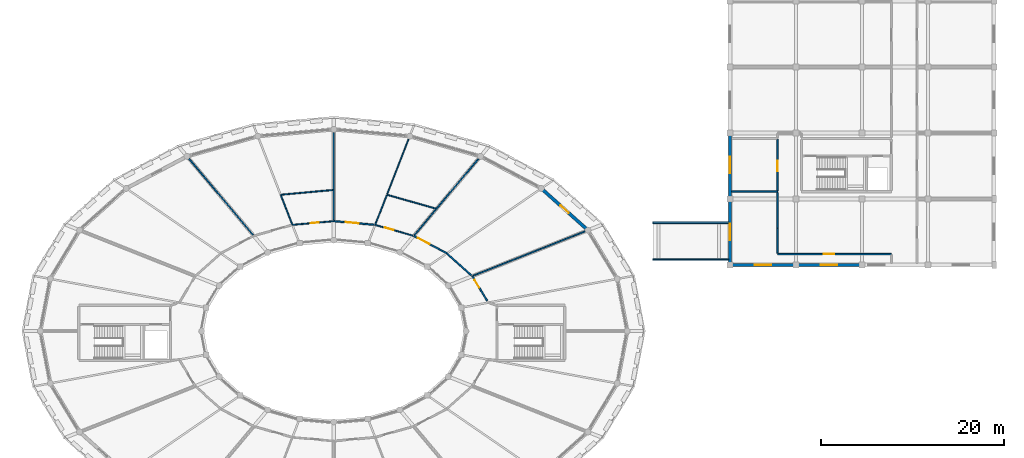
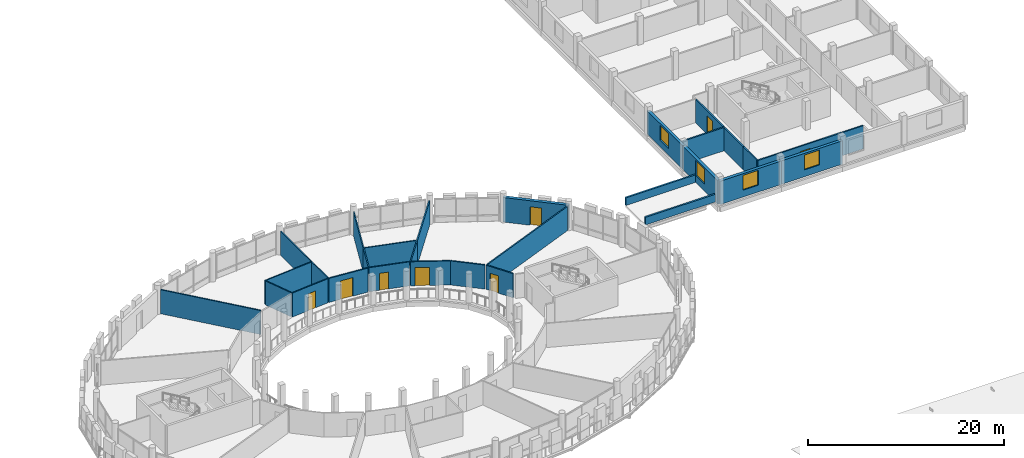
# One storey, part 81 of 93: 29 walls, 8 doors, 4 windows, 12 openings.
"""IFC4 building model written with IfcOpenShell, lengths in metres."""

from ifc_helpers import new_model, si_unit, direction, frame, frame_2d, origin, place, context, subcontext, project, spatial, rectangle, extrude, material, layer, layer_set, type_object, element, fill, save


model = new_model("IFC4")

# Units and contexts
model_context = context("Model", 3, precision=1e-05, world=origin(), true_north=direction((0.0, 1.0)))
body_context = subcontext(model_context, "Body", "Model", "MODEL_VIEW")
ifc_project = project(units=[si_unit("LENGTHUNIT", "METRE"), si_unit("AREAUNIT", "SQUARE_METRE"), si_unit("VOLUMEUNIT", "CUBIC_METRE"), si_unit("PLANEANGLEUNIT", "RADIAN"), si_unit("MASSUNIT", "GRAM", prefix="KILO")], contexts=[model_context])

# Site, building, storey
site_placement = place(None, origin())
site = spatial("IfcSite", under=ifc_project, at=site_placement, CompositionType="ELEMENT")
building_placement = place(site_placement, origin())
building = spatial("IfcBuilding", under=site, at=building_placement, Name="Zornivar Specialist Clinic", CompositionType="ELEMENT")
storey_placement = place(building_placement, frame((0.0, 0.0, 8.39990234375)))
storey = spatial("IfcBuildingStorey", under=building, at=storey_placement, Name="L02", CompositionType="ELEMENT", Elevation=8.39990234375)

# Wall, opening, door
ifc_material_1 = material(Name="Masonry Drum Limestone Portal Wall", Category="masonry")
ifc_layer_1 = layer(ifc_material_1, 0.35009765625)
ifc_layer_set_1 = layer_set([ifc_layer_1], Name="Masonry Drum Limestone Portal Wall")
wall_type_1 = type_object("IfcWallType", Name="EW-DRUM-350", PredefinedType="SOLIDWALL", material=ifc_layer_set_1)
wall_1_placement = place(storey_placement, frame((121.31298828125, 68.60009765625, 0.0), z_axis=(0.0, 0.0, 1.0), x_axis=(-0.744853105459, 0.66722848507, 0.0)))
wall_1 = element("IfcWall", 1, at=wall_1_placement, inside=storey, type_object=wall_type_1, Name="ew:V1:L02:c02", PredefinedType="SOLIDWALL", context=body_context, shape_type="SweptSolid", body=[
    extrude(rectangle(XDim=6.828125, YDim=0.35009765625, at=frame_2d((3.4140625, 0.0))), origin(), (0.0, 0.0, 1.0), 3.050048828125),
])
opening_1_placement = place(wall_1_placement, frame((2.81396484375, 0.0, 0.0)))
opening_1 = element("IfcOpeningElement", 2, at=opening_1_placement, cuts=wall_1, Name="Opening BD-01", PredefinedType="OPENING", context=body_context, shape_type="SweptSolid", body=[
    extrude(rectangle(XDim=1.199951171875, YDim=2.300048828125, at=frame_2d((0.60009765625, 1.14990234375))), frame((0.0, 0.18505859375, 0.0), z_axis=(0.0, -1.0, 0.0), x_axis=(1.0, 0.0, 0.0)), (0.0, 0.0, 1.0), 0.3701171875),
])
ifc_material_2 = material(Name="Thermally Broken Glazed Aluminium Door", Category="aluminium")
door_type_1 = type_object("IfcDoorType", Name="BD-BALC-1200x2300", OperationType="NOTDEFINED", PredefinedType="DOOR", material=ifc_material_2)
door_1_placement = place(opening_1_placement, origin())
door_1 = element("IfcDoor", 3, at=door_1_placement, inside=storey, type_object=door_type_1, Name="door:V1:L02:c02", OperationType="SINGLE_SWING_LEFT", OverallHeight=2.300048828125, OverallWidth=1.199951171875, PredefinedType="DOOR", context=body_context, shape_type="SweptSolid", body=[
    extrude(rectangle(XDim=1.199951171875, YDim=2.300048828125, at=frame_2d((0.60009765625, 1.14990234375))), frame((0.0, 0.02490234375, 0.0), z_axis=(0.0, -1.0, 0.0), x_axis=(1.0, 0.0, 0.0)), (0.0, 0.0, 1.0), 0.050048828125),
])
fill(opening_1, door_1)

# Wall, opening, window
ifc_material_3 = material(Name="Masonry Laboratory Terracotta and Stone Cavity Wall", Category="masonry")
ifc_layer_2 = layer(ifc_material_3, 0.340087890625)
ifc_layer_set_2 = layer_set([ifc_layer_2], Name="Masonry Laboratory Terracotta and Stone Cavity Wall")
wall_type_2 = type_object("IfcWallType", Name="EW-LAB-340", PredefinedType="SOLIDWALL", material=ifc_layer_set_2)
wall_2_placement = place(storey_placement, frame((136.800048828125, 64.800048828125, 0.0), z_axis=(0.0, 0.0, 1.0), x_axis=(1.0, 0.0, 0.0)))
wall_2 = element("IfcWall", 4, at=wall_2_placement, inside=storey, type_object=wall_type_2, Name="ew:V6:L02:00", PredefinedType="SOLIDWALL", context=body_context, shape_type="SweptSolid", body=[
    extrude(rectangle(XDim=7.199951171875, YDim=0.340087890625, at=frame_2d((3.60009765625, 0.0))), origin(), (0.0, 0.0, 1.0), 2.91015625),
])
opening_2_placement = place(wall_2_placement, frame((2.699951171875, 0.0, 0.85009765625)))
opening_2 = element("IfcOpeningElement", 5, at=opening_2_placement, cuts=wall_2, Name="Opening W-20", PredefinedType="OPENING", context=body_context, shape_type="SweptSolid", body=[
    extrude(rectangle(XDim=1.800048828125, YDim=1.85009765625, at=frame_2d((0.89990234375, 0.925048828125))), frame((0.0, 0.179931640625, 0.0), z_axis=(0.0, -1.0, 0.0), x_axis=(1.0, 0.0, 0.0)), (0.0, 0.0, 1.0), 0.360107421875),
])
ifc_material_4 = material(Name="Triple-Glazed Aluminium-Timber Window Glass", Category="wood")
window_type = type_object("IfcWindowType", Name="WIN-LAB-LOWER-1800x1850", PartitioningType="SINGLE_PANEL", PredefinedType="WINDOW", material=ifc_material_4)
window_1_placement = place(opening_2_placement, origin())
window_1 = element("IfcWindow", 6, at=window_1_placement, inside=storey, type_object=window_type, Name="win:V6:L02:00", OverallHeight=1.85009765625, OverallWidth=1.800048828125, PartitioningType="SINGLE_PANEL", PredefinedType="WINDOW", context=body_context, shape_type="SweptSolid", body=[
    extrude(rectangle(XDim=1.800048828125, YDim=1.85009765625, at=frame_2d((0.89990234375, 0.925048828125))), frame((0.0, 0.030029296875, 0.0), z_axis=(0.0, -1.0, 0.0), x_axis=(1.0, 0.0, 0.0)), (0.0, 0.0, 1.0), 0.06005859375),
])
fill(opening_2, window_1)

wall_3_placement = place(storey_placement, frame((144.0, 64.800048828125, 0.0), z_axis=(0.0, 0.0, 1.0), x_axis=(1.0, 0.0, 0.0)))
wall_3 = element("IfcWall", 7, at=wall_3_placement, inside=storey, type_object=wall_type_2, Name="ew:V6:L02:01", PredefinedType="SOLIDWALL", context=body_context, shape_type="SweptSolid", body=[
    extrude(rectangle(XDim=7.199951171875, YDim=0.340087890625, at=frame_2d((3.60009765625, 0.0))), origin(), (0.0, 0.0, 1.0), 2.91015625),
])
opening_3_placement = place(wall_3_placement, frame((2.699951171875, 0.0, 0.85009765625)))
opening_3 = element("IfcOpeningElement", 8, at=opening_3_placement, cuts=wall_3, Name="Opening W-20", PredefinedType="OPENING", context=body_context, shape_type="SweptSolid", body=[
    extrude(rectangle(XDim=1.800048828125, YDim=1.85009765625, at=frame_2d((0.89990234375, 0.925048828125))), frame((0.0, 0.179931640625, 0.0), z_axis=(0.0, -1.0, 0.0), x_axis=(1.0, 0.0, 0.0)), (0.0, 0.0, 1.0), 0.360107421875),
])
window_2_placement = place(opening_3_placement, origin())
window_2 = element("IfcWindow", 9, at=window_2_placement, inside=storey, type_object=window_type, Name="win:V6:L02:01", OverallHeight=1.85009765625, OverallWidth=1.800048828125, PartitioningType="SINGLE_PANEL", PredefinedType="WINDOW", context=body_context, shape_type="SweptSolid", body=[
    extrude(rectangle(XDim=1.800048828125, YDim=1.85009765625, at=frame_2d((0.89990234375, 0.925048828125))), frame((0.0, 0.030029296875, 0.0), z_axis=(0.0, -1.0, 0.0), x_axis=(1.0, 0.0, 0.0)), (0.0, 0.0, 1.0), 0.06005859375),
])
fill(opening_3, window_2)

wall_4_placement = place(storey_placement, frame((136.800048828125, 79.199951171875, 0.0), z_axis=(0.0, 0.0, 1.0), x_axis=(0.0, -1.0, 0.0)))
wall_4 = element("IfcWall", 10, at=wall_4_placement, inside=storey, type_object=wall_type_2, Name="ew:V6:L02:20", PredefinedType="SOLIDWALL", context=body_context, shape_type="SweptSolid", body=[
    extrude(rectangle(XDim=7.199951171875, YDim=0.340087890625, at=frame_2d((3.60009765625, 0.0))), origin(), (0.0, 0.0, 1.0), 2.91015625),
])
opening_4_placement = place(wall_4_placement, frame((2.60009765625, 0.0, 0.85009765625)))
opening_4 = element("IfcOpeningElement", 11, at=opening_4_placement, cuts=wall_4, Name="Opening W-20", PredefinedType="OPENING", context=body_context, shape_type="SweptSolid", body=[
    extrude(rectangle(XDim=1.800048828125, YDim=1.85009765625, at=frame_2d((0.89990234375, 0.925048828125))), frame((0.0, 0.179931640625, 0.0), z_axis=(0.0, -1.0, 0.0), x_axis=(1.0, 0.0, 0.0)), (0.0, 0.0, 1.0), 0.360107421875),
])
window_3_placement = place(opening_4_placement, origin())
window_3 = element("IfcWindow", 12, at=window_3_placement, inside=storey, type_object=window_type, Name="win:V6:L02:20", OverallHeight=1.85009765625, OverallWidth=1.800048828125, PartitioningType="SINGLE_PANEL", PredefinedType="WINDOW", context=body_context, shape_type="SweptSolid", body=[
    extrude(rectangle(XDim=1.800048828125, YDim=1.85009765625, at=frame_2d((0.89990234375, 0.925048828125))), frame((0.0, 0.030029296875, 0.0), z_axis=(0.0, -1.0, 0.0), x_axis=(1.0, 0.0, 0.0)), (0.0, 0.0, 1.0), 0.06005859375),
])
fill(opening_4, window_3)

wall_5_placement = place(storey_placement, frame((136.800048828125, 72.0, 0.0), z_axis=(0.0, 0.0, 1.0), x_axis=(0.0, -1.0, 0.0)))
wall_5 = element("IfcWall", 13, at=wall_5_placement, inside=storey, type_object=wall_type_2, Name="ew:V6:L02:21", PredefinedType="SOLIDWALL", context=body_context, shape_type="SweptSolid", body=[
    extrude(rectangle(XDim=7.199951171875, YDim=0.340087890625, at=frame_2d((3.60009765625, 0.0))), origin(), (0.0, 0.0, 1.0), 2.91015625),
])
opening_5_placement = place(wall_5_placement, frame((2.699951171875, 0.0, 0.85009765625)))
opening_5 = element("IfcOpeningElement", 14, at=opening_5_placement, cuts=wall_5, Name="Opening W-20", PredefinedType="OPENING", context=body_context, shape_type="SweptSolid", body=[
    extrude(rectangle(XDim=1.800048828125, YDim=1.85009765625, at=frame_2d((0.89990234375, 0.925048828125))), frame((0.0, 0.179931640625, 0.0), z_axis=(0.0, -1.0, 0.0), x_axis=(1.0, 0.0, 0.0)), (0.0, 0.0, 1.0), 0.360107421875),
])
window_4_placement = place(opening_5_placement, origin())
window_4 = element("IfcWindow", 15, at=window_4_placement, inside=storey, type_object=window_type, Name="win:V6:L02:21", OverallHeight=1.85009765625, OverallWidth=1.800048828125, PartitioningType="SINGLE_PANEL", PredefinedType="WINDOW", context=body_context, shape_type="SweptSolid", body=[
    extrude(rectangle(XDim=1.800048828125, YDim=1.85009765625, at=frame_2d((0.89990234375, 0.925048828125))), frame((0.0, 0.030029296875, 0.0), z_axis=(0.0, -1.0, 0.0), x_axis=(1.0, 0.0, 0.0)), (0.0, 0.0, 1.0), 0.06005859375),
])
fill(opening_5, window_4)

# Walls
ifc_material_5 = material(Name="Acoustic Clinical Stud Partition")
ifc_layer_3 = layer(ifc_material_5, 0.139892578125)
ifc_layer_set_3 = layer_set([ifc_layer_3], Name="Acoustic Clinical Stud Partition")
wall_type_3 = type_object("IfcWallType", Name="IW-CLIN-140", PredefinedType="PARTITIONING", material=ifc_layer_set_3)
wall_6_placement = place(storey_placement, frame((108.802978515625, 63.634033203125, 0.0), z_axis=(0.0, 0.0, 1.0), x_axis=(0.929434419676, 0.368987343309, 0.0)))
element("IfcWall", 16, at=wall_6_placement, inside=storey, type_object=wall_type_3, Name="iw:L02:002", PredefinedType="PARTITIONING", context=body_context, shape_type="SweptSolid", body=[
    extrude(rectangle(XDim=13.125244140625, YDim=0.139892578125, at=frame_2d((6.5625, 0.0))), origin(), (0.0, 0.0, 1.0), 2.989990234375),
])
wall_7_placement = place(storey_placement, frame((104.802978515625, 70.93994140625, 0.0), z_axis=(0.0, 0.0, 1.0), x_axis=(0.6431052921, 0.765777763632, 0.0)))
element("IfcWall", 17, at=wall_7_placement, inside=storey, type_object=wall_type_3, Name="iw:L02:006", PredefinedType="PARTITIONING", context=body_context, shape_type="SweptSolid", body=[
    extrude(rectangle(XDim=7.124755859375, YDim=0.139892578125, at=frame_2d((3.5625, 0.0))), origin(), (0.0, 0.0, 1.0), 2.989990234375),
])
wall_8_placement = place(storey_placement, frame((84.7939453125, 68.0869140625, 0.0), z_axis=(0.0, 0.0, 1.0), x_axis=(-0.643158316092, 0.765733230598, 0.0)))
element("IfcWall", 18, at=wall_8_placement, inside=storey, type_object=wall_type_3, Name="iw:L02:019", PredefinedType="PARTITIONING", context=body_context, shape_type="SweptSolid", body=[
    extrude(rectangle(XDim=10.85107421875, YDim=0.139892578125, at=frame_2d((5.425537109375, 0.0))), origin(), (0.0, 0.0, 1.0), 2.989990234375),
])

# Wall, opening, door
ifc_material_6 = material(Name="Gypsum Fire-Rated Double Stud Partition")
ifc_layer_4 = layer(ifc_material_6, 0.159912109375)
ifc_layer_set_4 = layer_set([ifc_layer_4], Name="Gypsum Fire-Rated Double Stud Partition")
wall_type_4 = type_object("IfcWallType", Name="IW-CORR-EI60-160", PredefinedType="PARTITIONING", material=ifc_layer_set_4)
wall_9_placement = place(storey_placement, frame((110.325927734375, 60.903076171875, 0.0), z_axis=(0.0, 0.0, 1.0), x_axis=(-0.516060018324, 0.856552425417, 0.0)))
wall_9 = element("IfcWall", 19, at=wall_9_placement, inside=storey, type_object=wall_type_4, Name="iw:L02:001", PredefinedType="PARTITIONING", context=body_context, shape_type="SweptSolid", body=[
    extrude(rectangle(XDim=3.142822265625, YDim=0.159912109375, at=frame_2d((1.5712890625, 0.0))), origin(), (0.0, 0.0, 1.0), 2.989990234375),
])
opening_6_placement = place(wall_9_placement, frame((1.6630859375, 0.0, 0.0)))
opening_6 = element("IfcOpeningElement", 20, at=opening_6_placement, cuts=wall_9, Name="Opening ID-04", PredefinedType="OPENING", context=body_context, shape_type="SweptSolid", body=[
    extrude(rectangle(XDim=1.0, YDim=2.14990234375, at=frame_2d((0.5, 1.074951171875))), frame((0.0, 0.08984375, 0.0), z_axis=(0.0, -1.0, 0.0), x_axis=(1.0, 0.0, 0.0)), (0.0, 0.0, 1.0), 0.179931640625),
])
ifc_material_7 = material(Name="Solid-Core Hygienic Laminate Timber Door", Category="wood")
door_type_2 = type_object("IfcDoorType", Name="ID-EXAM-1000x2150", OperationType="NOTDEFINED", PredefinedType="DOOR", material=ifc_material_7)
door_2_placement = place(opening_6_placement, origin())
door_2 = element("IfcDoor", 21, at=door_2_placement, inside=storey, type_object=door_type_2, Name="door:space:V1:L02:rm:01", OperationType="SINGLE_SWING_LEFT", OverallHeight=2.14990234375, OverallWidth=1.0, PredefinedType="DOOR", context=body_context, shape_type="SweptSolid", body=[
    extrude(rectangle(XDim=1.0, YDim=2.14990234375, at=frame_2d((0.5, 1.074951171875))), frame((0.0, 0.02490234375, 0.0), z_axis=(0.0, -1.0, 0.0), x_axis=(1.0, 0.0, 0.0)), (0.0, 0.0, 1.0), 0.050048828125),
])
fill(opening_6, door_2)

wall_10_placement = place(storey_placement, frame((105.931884765625, 66.077880859375, 0.0), z_axis=(0.0, 0.0, 1.0), x_axis=(-0.884408058246, 0.466714459289, 0.0)))
wall_10 = element("IfcWall", 22, at=wall_10_placement, inside=storey, type_object=wall_type_4, Name="iw:L02:004", PredefinedType="PARTITIONING", context=body_context, shape_type="SweptSolid", body=[
    extrude(rectangle(XDim=4.083984375, YDim=0.159912109375, at=frame_2d((2.0419921875, 0.0))), origin(), (0.0, 0.0, 1.0), 2.989990234375),
])
opening_7_placement = place(wall_10_placement, frame((2.154052734375, 0.0, 0.0)))
opening_7 = element("IfcOpeningElement", 23, at=opening_7_placement, cuts=wall_10, Name="Opening ID-11", PredefinedType="OPENING", context=body_context, shape_type="SweptSolid", body=[
    extrude(rectangle(XDim=1.449951171875, YDim=2.25, at=frame_2d((0.72509765625, 1.125))), frame((0.0, 0.08984375, 0.0), z_axis=(0.0, -1.0, 0.0), x_axis=(1.0, 0.0, 0.0)), (0.0, 0.0, 1.0), 0.179931640625),
])
ifc_material_8 = material(Name="Solid-Core Hygienic Laminate Timber Door", Category="wood")
door_type_3 = type_object("IfcDoorType", Name="ID-INFUS-1450x2250", OperationType="NOTDEFINED", PredefinedType="DOOR", material=ifc_material_8)
door_3_placement = place(opening_7_placement, origin())
door_3 = element("IfcDoor", 24, at=door_3_placement, inside=storey, type_object=door_type_3, Name="door:space:V1:L02:rm:02", OperationType="DOUBLE_DOOR_SINGLE_SWING", OverallHeight=2.25, OverallWidth=1.449951171875, PredefinedType="DOOR", context=body_context, shape_type="SweptSolid", body=[
    extrude(rectangle(XDim=1.449951171875, YDim=2.25, at=frame_2d((0.72509765625, 1.125))), frame((0.0, 0.02490234375, 0.0), z_axis=(0.0, -1.0, 0.0), x_axis=(1.0, 0.0, 0.0)), (0.0, 0.0, 1.0), 0.050048828125),
])
fill(opening_7, door_3)

# Wall
wall_11_placement = place(storey_placement, frame((108.60400390625, 63.68408203125, 0.0), z_axis=(0.0, 0.0, 1.0), x_axis=(-0.744792916414, 0.667295670344, 0.0)))
element("IfcWall", 25, at=wall_11_placement, inside=storey, type_object=wall_type_4, Name="iw:L02:007", PredefinedType="PARTITIONING", context=body_context, shape_type="SweptSolid", body=[
    extrude(rectangle(XDim=3.57568359375, YDim=0.159912109375, at=frame_2d((1.787841796875, 0.0))), origin(), (0.0, 0.0, 1.0), 2.989990234375),
])

# Wall, opening, door
wall_12_placement = place(storey_placement, frame((98.009033203125, 69.19091796875, 0.0), z_axis=(0.0, 0.0, 1.0), x_axis=(-0.995926589216, 0.090167781902, 0.0)))
wall_12 = element("IfcWall", 26, at=wall_12_placement, inside=storey, type_object=wall_type_4, Name="iw:L02:012", PredefinedType="PARTITIONING", context=body_context, shape_type="SweptSolid", body=[
    extrude(rectangle(XDim=4.427001953125, YDim=0.159912109375, at=frame_2d((2.21337890625, 0.0))), origin(), (0.0, 0.0, 1.0), 2.989990234375),
])
opening_8_placement = place(wall_12_placement, frame((1.719970703125, 0.0, 0.0)))
opening_8 = element("IfcOpeningElement", 27, at=opening_8_placement, cuts=wall_12, Name="Opening ID-12", PredefinedType="OPENING", context=body_context, shape_type="SweptSolid", body=[
    extrude(rectangle(XDim=1.39990234375, YDim=2.300048828125, at=frame_2d((0.699951171875, 1.14990234375))), frame((0.0, 0.08984375, 0.0), z_axis=(0.0, -1.0, 0.0), x_axis=(1.0, 0.0, 0.0)), (0.0, 0.0, 1.0), 0.179931640625),
])
ifc_material_9 = material(Name="Solid-Core Hygienic Laminate Timber Door", Category="wood")
door_type_4 = type_object("IfcDoorType", Name="ID-WAIT-1400x2300", OperationType="NOTDEFINED", PredefinedType="DOOR", material=ifc_material_9)
door_4_placement = place(opening_8_placement, origin())
door_4 = element("IfcDoor", 28, at=door_4_placement, inside=storey, type_object=door_type_4, Name="door:space:V1:L02:rm:04", OperationType="DOUBLE_DOOR_SINGLE_SWING", OverallHeight=2.300048828125, OverallWidth=1.39990234375, PredefinedType="DOOR", context=body_context, shape_type="SweptSolid", body=[
    extrude(rectangle(XDim=1.39990234375, YDim=2.300048828125, at=frame_2d((0.699951171875, 1.14990234375))), frame((0.0, 0.02490234375, 0.0), z_axis=(0.0, -1.0, 0.0), x_axis=(1.0, 0.0, 0.0)), (0.0, 0.0, 1.0), 0.050048828125),
])
fill(opening_8, door_4)

wall_13_placement = place(storey_placement, frame((142.0, 66.0, 0.0), z_axis=(0.0, 0.0, 1.0), x_axis=(1.0, 0.0, 0.0)))
wall_13 = element("IfcWall", 29, at=wall_13_placement, inside=storey, type_object=wall_type_4, Name="iw:L02:133", PredefinedType="PARTITIONING", context=body_context, shape_type="SweptSolid", body=[
    extrude(rectangle(XDim=12.39990234375, YDim=0.159912109375, at=frame_2d((6.199951171875, 0.0))), origin(), (0.0, 0.0, 1.0), 2.89013671875),
])
opening_9_placement = place(wall_13_placement, frame((5.027099609375, 0.0, 0.0)))
opening_9 = element("IfcOpeningElement", 30, at=opening_9_placement, cuts=wall_13, Name="Opening ID-06", PredefinedType="OPENING", context=body_context, shape_type="SweptSolid", body=[
    extrude(rectangle(XDim=1.14990234375, YDim=2.25, at=frame_2d((0.574951171875, 1.125))), frame((0.0, 0.08984375, 0.0), z_axis=(0.0, -1.0, 0.0), x_axis=(1.0, 0.0, 0.0)), (0.0, 0.0, 1.0), 0.179931640625),
])
ifc_material_10 = material(Name="Solid-Core Hygienic Laminate Timber Door", Category="wood")
door_type_5 = type_object("IfcDoorType", Name="ID-LAB-1150x2250", OperationType="NOTDEFINED", PredefinedType="DOOR", material=ifc_material_10)
door_5_placement = place(opening_9_placement, origin())
door_5 = element("IfcDoor", 31, at=door_5_placement, inside=storey, type_object=door_type_5, Name="door:space:V6:L02:rm:00", OperationType="SINGLE_SWING_RIGHT", OverallHeight=2.25, OverallWidth=1.14990234375, PredefinedType="DOOR", context=body_context, shape_type="SweptSolid", body=[
    extrude(rectangle(XDim=1.14990234375, YDim=2.25, at=frame_2d((0.574951171875, 1.125))), frame((0.0, 0.02490234375, 0.0), z_axis=(0.0, -1.0, 0.0), x_axis=(1.0, 0.0, 0.0)), (0.0, 0.0, 1.0), 0.050048828125),
])
fill(opening_9, door_5)

# Walls
wall_14_placement = place(storey_placement, frame((142.0, 72.700927734375, 0.0), z_axis=(0.0, 0.0, 1.0), x_axis=(0.0, -1.0, 0.0)))
element("IfcWall", 32, at=wall_14_placement, inside=storey, type_object=wall_type_4, Name="iw:L02:136", PredefinedType="PARTITIONING", context=body_context, shape_type="SweptSolid", body=[
    extrude(rectangle(XDim=3.90087890625, YDim=0.159912109375, at=frame_2d((1.950439453125, 0.0))), origin(), (0.0, 0.0, 1.0), 2.89013671875),
])
wall_15_placement = place(storey_placement, frame((142.0, 68.7880859375, 0.0), z_axis=(0.0, 0.0, 1.0), x_axis=(0.0, -1.0, 0.0)))
element("IfcWall", 33, at=wall_15_placement, inside=storey, type_object=wall_type_4, Name="iw:L02:137", PredefinedType="PARTITIONING", context=body_context, shape_type="SweptSolid", body=[
    extrude(rectangle(XDim=2.694091796875, YDim=0.159912109375, at=frame_2d((1.34716796875, 0.0))), origin(), (0.0, 0.0, 1.0), 2.89013671875),
])

# Wall, opening, door
wall_16_placement = place(storey_placement, frame((142.0, 78.5009765625, 0.0), z_axis=(0.0, 0.0, 1.0), x_axis=(0.0, -1.0, 0.0)))
wall_16 = element("IfcWall", 34, at=wall_16_placement, inside=storey, type_object=wall_type_4, Name="iw:L02:139", PredefinedType="PARTITIONING", context=body_context, shape_type="SweptSolid", body=[
    extrude(rectangle(XDim=5.60205078125, YDim=0.159912109375, at=frame_2d((2.801025390625, 0.0))), origin(), (0.0, 0.0, 1.0), 2.89013671875),
])
opening_10_placement = place(wall_16_placement, frame((2.342041015625, 0.0, 0.0)))
opening_10 = element("IfcOpeningElement", 35, at=opening_10_placement, cuts=wall_16, Name="Opening ID-06", PredefinedType="OPENING", context=body_context, shape_type="SweptSolid", body=[
    extrude(rectangle(XDim=1.14990234375, YDim=2.25, at=frame_2d((0.574951171875, 1.125))), frame((0.0, 0.08984375, 0.0), z_axis=(0.0, -1.0, 0.0), x_axis=(1.0, 0.0, 0.0)), (0.0, 0.0, 1.0), 0.179931640625),
])
door_6_placement = place(opening_10_placement, origin())
door_6 = element("IfcDoor", 36, at=door_6_placement, inside=storey, type_object=door_type_5, Name="door:space:V6:L02:rm:01", OperationType="SINGLE_SWING_LEFT", OverallHeight=2.25, OverallWidth=1.14990234375, PredefinedType="DOOR", context=body_context, shape_type="SweptSolid", body=[
    extrude(rectangle(XDim=1.14990234375, YDim=2.25, at=frame_2d((0.574951171875, 1.125))), frame((0.0, 0.02490234375, 0.0), z_axis=(0.0, -1.0, 0.0), x_axis=(1.0, 0.0, 0.0)), (0.0, 0.0, 1.0), 0.050048828125),
])
fill(opening_10, door_6)

# Walls
ifc_material_11 = material(Name="Acoustic Glazed Consultation Partition")
ifc_layer_5 = layer(ifc_material_11, 0.1201171875)
ifc_layer_set_5 = layer_set([ifc_layer_5], Name="Acoustic Glazed Consultation Partition")
wall_type_5 = type_object("IfcWallType", Name="IW-GLAZ-120", PredefinedType="PARTITIONING", material=ifc_layer_set_5)
wall_17_placement = place(storey_placement, frame((101.760009765625, 78.5380859375, 0.0), z_axis=(0.0, 0.0, 1.0), x_axis=(-0.363008745281, -0.931785732264, 0.0)))
element("IfcWall", 37, at=wall_17_placement, inside=storey, type_object=wall_type_5, Name="iw:L02:011", PredefinedType="PARTITIONING", context=body_context, shape_type="SweptSolid", body=[
    extrude(rectangle(XDim=6.429443359375, YDim=0.1201171875, at=frame_2d((3.21484375, 0.0))), origin(), (0.0, 0.0, 1.0), 2.989990234375),
])
wall_18_placement = place(storey_placement, frame((93.60009765625, 73.0048828125, 0.0), z_axis=(0.0, 0.0, 1.0), x_axis=(0.0, 1.0, 0.0)))
element("IfcWall", 38, at=wall_18_placement, inside=storey, type_object=wall_type_5, Name="iw:L02:014", PredefinedType="PARTITIONING", context=body_context, shape_type="SweptSolid", body=[
    extrude(rectangle(XDim=6.260009765625, YDim=0.1201171875, at=frame_2d((3.1298828125, 0.0))), origin(), (0.0, 0.0, 1.0), 2.989990234375),
])
ifc_material_12 = material(Name="Laboratory Chemical-Resistant Stud Partition")
ifc_layer_6 = layer(ifc_material_12, 0.169921875)
ifc_layer_set_6 = layer_set([ifc_layer_6], Name="Laboratory Chemical-Resistant Stud Partition")
wall_type_6 = type_object("IfcWallType", Name="IW-LAB-EI60-170", PredefinedType="PARTITIONING", material=ifc_layer_set_6)
wall_19_placement = place(storey_placement, frame((136.985107421875, 72.800048828125, 0.0), z_axis=(0.0, 0.0, 1.0), x_axis=(1.0, 0.0, 0.0)))
element("IfcWall", 39, at=wall_19_placement, inside=storey, type_object=wall_type_6, Name="iw:L02:135", PredefinedType="PARTITIONING", context=body_context, shape_type="SweptSolid", body=[
    extrude(rectangle(XDim=5.014892578125, YDim=0.169921875, at=frame_2d((2.50732421875, 0.0))), origin(), (0.0, 0.0, 1.0), 2.89013671875),
])
ifc_material_13 = material(Name="Moisture-Resistant Sanitary Partition")
ifc_layer_7 = layer(ifc_material_13, 0.1298828125)
ifc_layer_set_7 = layer_set([ifc_layer_7], Name="Moisture-Resistant Sanitary Partition")
wall_type_7 = type_object("IfcWallType", Name="IW-WET-130", PredefinedType="PARTITIONING", material=ifc_layer_set_7)
wall_20_placement = place(storey_placement, frame((102.39111328125, 68.068115234375, 0.0), z_axis=(0.0, 0.0, 1.0), x_axis=(0.64304503453, 0.7658283643, 0.0)))
element("IfcWall", 40, at=wall_20_placement, inside=storey, type_object=wall_type_7, Name="iw:L02:005", PredefinedType="PARTITIONING", context=body_context, shape_type="SweptSolid", body=[
    extrude(rectangle(XDim=3.73828125, YDim=0.1298828125, at=frame_2d((1.869140625, 0.0))), origin(), (0.0, 0.0, 1.0), 2.989990234375),
])
wall_21_placement = place(storey_placement, frame((99.39501953125, 72.468017578125, 0.0), z_axis=(0.0, 0.0, 1.0), x_axis=(0.961788505004, -0.273793483563, 0.0)))
element("IfcWall", 41, at=wall_21_placement, inside=storey, type_object=wall_type_7, Name="iw:L02:008", PredefinedType="PARTITIONING", context=body_context, shape_type="SweptSolid", body=[
    extrude(rectangle(XDim=5.492919921875, YDim=0.1298828125, at=frame_2d((2.74658203125, 0.0))), origin(), (0.0, 0.0, 1.0), 2.989990234375),
])

# Wall, opening, door
wall_22_placement = place(storey_placement, frame((102.208984375, 68.01611328125, 0.0), z_axis=(0.0, 0.0, 1.0), x_axis=(-0.961845715117, 0.273592434676, 0.0)))
wall_22 = element("IfcWall", 42, at=wall_22_placement, inside=storey, type_object=wall_type_7, Name="iw:L02:009", PredefinedType="PARTITIONING", context=body_context, shape_type="SweptSolid", body=[
    extrude(rectangle(XDim=4.25732421875, YDim=0.1298828125, at=frame_2d((2.128662109375, 0.0))), origin(), (0.0, 0.0, 1.0), 2.989990234375),
])
opening_11_placement = place(wall_22_placement, frame((2.18701171875, 0.0, 0.0)))
opening_11 = element("IfcOpeningElement", 43, at=opening_11_placement, cuts=wall_22, Name="Opening ID-07", PredefinedType="OPENING", context=body_context, shape_type="SweptSolid", body=[
    extrude(rectangle(XDim=0.949951171875, YDim=2.10009765625, at=frame_2d((0.47509765625, 1.050048828125))), frame((0.0, 0.074951171875, 0.0), z_axis=(0.0, -1.0, 0.0), x_axis=(1.0, 0.0, 0.0)), (0.0, 0.0, 1.0), 0.14990234375),
])
ifc_material_14 = material(Name="Solid-Core Hygienic Laminate Timber Door", Category="wood")
door_type_6 = type_object("IfcDoorType", Name="ID-WC-ACC-0950x2100", OperationType="NOTDEFINED", PredefinedType="DOOR", material=ifc_material_14)
door_7_placement = place(opening_11_placement, origin())
door_7 = element("IfcDoor", 44, at=door_7_placement, inside=storey, type_object=door_type_6, Name="door:space:V1:L02:rm:03", OperationType="SINGLE_SWING_LEFT", OverallHeight=2.10009765625, OverallWidth=0.949951171875, PredefinedType="DOOR", context=body_context, shape_type="SweptSolid", body=[
    extrude(rectangle(XDim=0.949951171875, YDim=2.10009765625, at=frame_2d((0.47509765625, 1.050048828125))), frame((0.0, 0.02490234375, 0.0), z_axis=(0.0, -1.0, 0.0), x_axis=(1.0, 0.0, 0.0)), (0.0, 0.0, 1.0), 0.050048828125),
])
fill(opening_11, door_7)

# Walls
wall_23_placement = place(storey_placement, frame((98.14501953125, 69.260986328125, 0.0), z_axis=(0.0, 0.0, 1.0), x_axis=(0.363211414965, 0.931706750024, 0.0)))
element("IfcWall", 45, at=wall_23_placement, inside=storey, type_object=wall_type_7, Name="iw:L02:010", PredefinedType="PARTITIONING", context=body_context, shape_type="SweptSolid", body=[
    extrude(rectangle(XDim=3.356201171875, YDim=0.1298828125, at=frame_2d((1.67822265625, 0.0))), origin(), (0.0, 0.0, 1.0), 2.989990234375),
])
wall_24_placement = place(storey_placement, frame((93.60009765625, 69.68994140625, 0.0), z_axis=(0.0, 0.0, 1.0), x_axis=(0.0, 1.0, 0.0)))
element("IfcWall", 46, at=wall_24_placement, inside=storey, type_object=wall_type_7, Name="iw:L02:013", PredefinedType="PARTITIONING", context=body_context, shape_type="SweptSolid", body=[
    extrude(rectangle(XDim=3.302978515625, YDim=0.1298828125, at=frame_2d((1.6513671875, 0.0))), origin(), (0.0, 0.0, 1.0), 2.989990234375),
])
wall_25_placement = place(storey_placement, frame((87.804931640625, 72.468017578125, 0.0), z_axis=(0.0, 0.0, 1.0), x_axis=(0.995924559999, 0.090190192324, 0.0)))
element("IfcWall", 47, at=wall_25_placement, inside=storey, type_object=wall_type_7, Name="iw:L02:015", PredefinedType="PARTITIONING", context=body_context, shape_type="SweptSolid", body=[
    extrude(rectangle(XDim=5.7333984375, YDim=0.1298828125, at=frame_2d((2.86669921875, 0.0))), origin(), (0.0, 0.0, 1.0), 2.989990234375),
])

# Wall, opening, door
wall_26_placement = place(storey_placement, frame((93.514892578125, 69.58203125, 0.0), z_axis=(0.0, 0.0, 1.0), x_axis=(-0.995923749059, -0.090199146668, 0.0)))
wall_26 = element("IfcWall", 48, at=wall_26_placement, inside=storey, type_object=wall_type_7, Name="iw:L02:016", PredefinedType="PARTITIONING", context=body_context, shape_type="SweptSolid", body=[
    extrude(rectangle(XDim=4.447021484375, YDim=0.1298828125, at=frame_2d((2.2236328125, 0.0))), origin(), (0.0, 0.0, 1.0), 2.989990234375),
])
opening_12_placement = place(wall_26_placement, frame((1.55810546875, 0.0, 0.0)))
opening_12 = element("IfcOpeningElement", 49, at=opening_12_placement, cuts=wall_26, Name="Opening ID-08", PredefinedType="OPENING", context=body_context, shape_type="SweptSolid", body=[
    extrude(rectangle(XDim=0.89990234375, YDim=2.10009765625, at=frame_2d((0.449951171875, 1.050048828125))), frame((0.0, 0.074951171875, 0.0), z_axis=(0.0, -1.0, 0.0), x_axis=(1.0, 0.0, 0.0)), (0.0, 0.0, 1.0), 0.14990234375),
])
ifc_material_15 = material(Name="Solid-Core Hygienic Laminate Timber Door", Category="wood")
door_type_7 = type_object("IfcDoorType", Name="ID-WC-STD-0900x2100", OperationType="NOTDEFINED", PredefinedType="DOOR", material=ifc_material_15)
door_8_placement = place(opening_12_placement, origin())
door_8 = element("IfcDoor", 50, at=door_8_placement, inside=storey, type_object=door_type_7, Name="door:space:V1:L02:rm:05", OperationType="SINGLE_SWING_LEFT", OverallHeight=2.10009765625, OverallWidth=0.89990234375, PredefinedType="DOOR", context=body_context, shape_type="SweptSolid", body=[
    extrude(rectangle(XDim=0.89990234375, YDim=2.10009765625, at=frame_2d((0.449951171875, 1.050048828125))), frame((0.0, 0.02490234375, 0.0), z_axis=(0.0, -1.0, 0.0), x_axis=(1.0, 0.0, 0.0)), (0.0, 0.0, 1.0), 0.050048828125),
])
fill(opening_12, door_8)

# Walls
wall_27_placement = place(storey_placement, frame((89.049072265625, 69.27490234375, 0.0), z_axis=(0.0, 0.0, 1.0), x_axis=(-0.362920895293, 0.931819952437, 0.0)))
element("IfcWall", 51, at=wall_27_placement, inside=storey, type_object=wall_type_7, Name="iw:L02:017", PredefinedType="PARTITIONING", context=body_context, shape_type="SweptSolid", body=[
    extrude(rectangle(XDim=3.325927734375, YDim=0.1298828125, at=frame_2d((1.6630859375, 0.0))), origin(), (0.0, 0.0, 1.0), 2.989990234375),
])
ifc_material_16 = material(Name="Masonry Zinc-Capped Bridge Parapet", Category="masonry")
ifc_layer_8 = layer(ifc_material_16, 0.199951171875)
ifc_layer_set_8 = layer_set([ifc_layer_8], Name="Masonry Zinc-Capped Bridge Parapet")
wall_type_8 = type_object("IfcWallType", Name="PW-PARAPET-200", PredefinedType="PARAPET", material=ifc_layer_set_8)
for number, where, z_axis, x_axis, name in (
    (52, (128.39990234375, 65.39990234375, 0.0), (0.0, 0.0, 1.0), (1.0, 0.0, 0.0), "pw:BR3:L02:0"),
    (53, (136.679931640625, 69.39990234375, 0.0), (0.0, 0.0, 1.0), (-1.0, 0.0, 0.0), "pw:BR3:L02:2"),
):
    element("IfcWall", number, at=place(storey_placement, frame(where, z_axis=z_axis, x_axis=x_axis)), inside=storey, type_object=wall_type_8, Name=name, PredefinedType="PARAPET", context=body_context, shape_type="SweptSolid", body=[
        extrude(rectangle(XDim=8.280029296875, YDim=0.199951171875, at=frame_2d((4.14013671875, 0.0))), origin(), (0.0, 0.0, 1.0), 0.9501953125),
    ])

save(model, "model.ifc")
